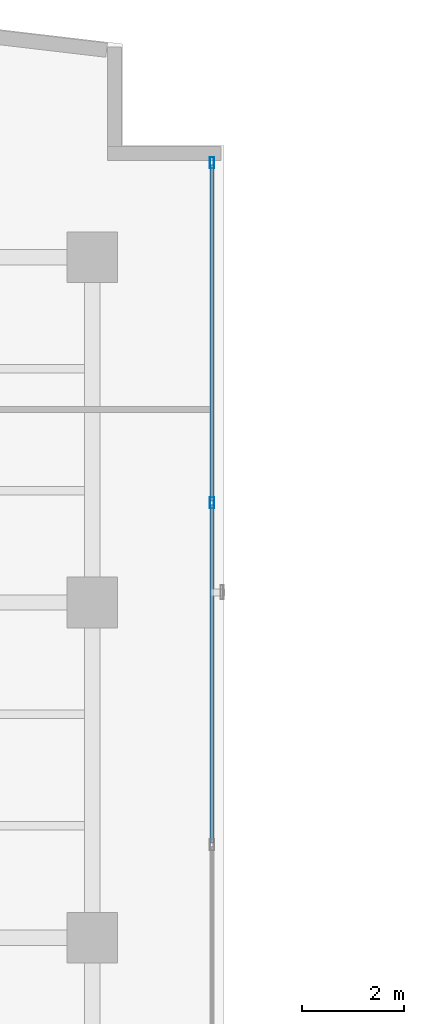
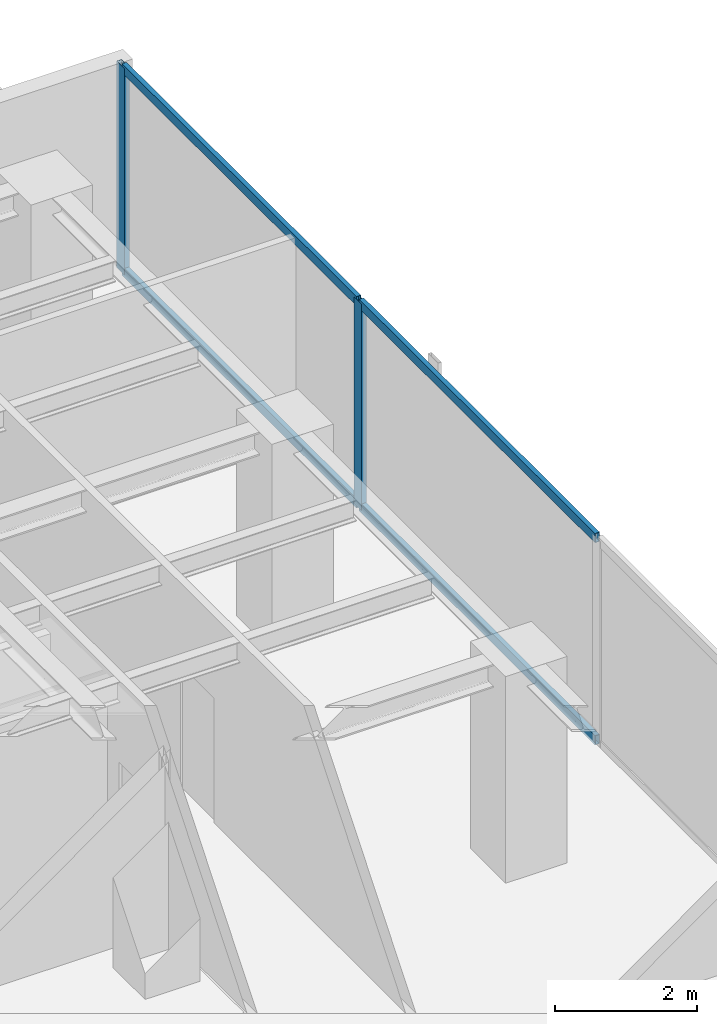
# One storey, part 15 of 25: 6 members, 1 element without a shape of its own.
"""IFC4 building model written with IfcOpenShell, lengths in metres."""

from ifc_helpers import new_model, si_unit, direction, frame, origin, origin_with_axes, origin_2d, place, context, subcontext, project, spatial, hollow_rectangle, extrude, source, transform, mapped, material, layer, layer_set, material_profile, profile_set, type_object, element, aggregate, save


model = new_model("IFC4")

# Units and contexts
model_context = context("Model", 3, precision=1e-05, world=origin(), true_north=direction((0.0, 1.0)))
body_context = subcontext(model_context, "Body", "Model", "MODEL_VIEW")
ifc_project = project(units=[si_unit("LENGTHUNIT", "METRE"), si_unit("AREAUNIT", "SQUARE_METRE"), si_unit("VOLUMEUNIT", "CUBIC_METRE"), si_unit("PLANEANGLEUNIT", "RADIAN"), si_unit("MASSUNIT", "GRAM", prefix="KILO")], contexts=[model_context])

# Site, building, storey
site_placement = place(None, origin())
site = spatial("IfcSite", under=ifc_project, at=site_placement, CompositionType="ELEMENT")
building_placement = place(site_placement, origin())
building = spatial("IfcBuilding", under=site, at=building_placement, Name="Kolvaren Waterfront Exchange", CompositionType="ELEMENT")
storey_placement = place(building_placement, frame((0.0, 0.0, 223.5)))
storey = spatial("IfcBuildingStorey", under=building, at=storey_placement, Name="L57", CompositionType="ELEMENT", Elevation=223.5)

# Curtain wall, members
ifc_material_1 = material(Name="Anodised bronze aluminium 6063-T6", Category="aluminium")
ifc_layer = layer(ifc_material_1, 0.219970703125, Name="Anodised bronze aluminium 6063-T6")
ifc_layer_set = layer_set([ifc_layer], Name="Anodised bronze aluminium 6063-T6")
curtain_wall_type = type_object("IfcCurtainWallType", Name="ARC-CW-SYS4", PredefinedType="USERDEFINED", material=ifc_layer_set)
curtain_wall_placement = place(storey_placement, origin())
curtain_wall = element("IfcCurtainWall", 1, at=curtain_wall_placement, inside=storey, type_object=curtain_wall_type, Name="L57 stick curtain wall CW4 (CW-L57-NE)", ObjectType="STICK CURTAIN WALL", PredefinedType="USERDEFINED")
ifc_material_2 = material(Name="Anodised aluminium 6063-T6", Category="aluminium")
ifc_material_profile_1 = material_profile(ifc_material_2, hollow_rectangle(XDim=0.080078125, YDim=0.219970703125, WallThickness=0.0048828125, at=origin_2d()), Name="ALU-MUL-220x80x5")
ifc_profile_set_1 = profile_set([ifc_material_profile_1], Name="Anodised aluminium 6063-T6")
member_type_1 = type_object("IfcMemberType", Name="ARC-CWM-220", PredefinedType="MULLION", material=ifc_profile_set_1)
shared_shape_1 = source(origin_with_axes(), body_context, "Body", "SweptSolid", [
    extrude(hollow_rectangle(XDim=0.080078125, YDim=0.219970703125, WallThickness=0.0048828125, at=origin_2d()), origin(), (0.0, 0.0, 1.0), 3.56005859375),
])
member_1_placement = place(storey_placement, frame((21.159912109375, 39.763427734375, 0.0), z_axis=(0.0, 0.0, 1.0), x_axis=(-1.0, 0.0, 0.0)))
member_1 = element("IfcMember", 2, at=member_1_placement, type_object=member_type_1, Name="CW4 mullion 3", PredefinedType="MULLION", context=body_context, shape_type="MappedRepresentation", body=[
    mapped(shared_shape_1, transform((0.0, 0.0, 0.0), x_axis=(1.0, 0.0, 0.0), y_axis=(0.0, 1.0, 0.0), z_axis=(0.0, 0.0, 1.0), scale=1.0)),
])
member_2_placement = place(storey_placement, frame((21.159912109375, 46.4599609375, 0.0), z_axis=(0.0, 0.0, 1.0), x_axis=(-1.0, 0.0, 0.0)))
member_2 = element("IfcMember", 3, at=member_2_placement, type_object=member_type_1, Name="CW4 mullion 4", PredefinedType="MULLION", context=body_context, shape_type="MappedRepresentation", body=[
    mapped(shared_shape_1, transform((0.0, 0.0, 0.0), x_axis=(1.0, 0.0, 0.0), y_axis=(0.0, 1.0, 0.0), z_axis=(0.0, 0.0, 1.0), scale=1.0)),
])
ifc_material_profile_2 = material_profile(ifc_material_2, hollow_rectangle(XDim=0.074951171875, YDim=0.159912109375, WallThickness=0.00439453125, at=origin_2d()), Name="ALU-TRN-160x75x4.5")
ifc_profile_set_2 = profile_set([ifc_material_profile_2], Name="Anodised aluminium 6063-T6")
member_type_2 = type_object("IfcMemberType", Name="ARC-CWT-160", PredefinedType="USERDEFINED", material=ifc_profile_set_2)
shared_shape_2 = source(origin_with_axes(), body_context, "Body", "SweptSolid", [
    extrude(hollow_rectangle(XDim=0.074951171875, YDim=0.159912109375, WallThickness=0.00439453125, at=origin_2d()), origin(), (0.0, 0.0, 1.0), 6.65673828125),
])
member_3_placement = place(storey_placement, frame((21.159912109375, 33.066650390625, 0.03759765625), z_axis=(0.0, 1.0, 0.0), x_axis=(-1.0, 0.0, 0.0)))
member_3 = element("IfcMember", 4, at=member_3_placement, type_object=member_type_2, Name="CW4 transom 2.1", ObjectType="TRANSOM", PredefinedType="USERDEFINED", context=body_context, shape_type="MappedRepresentation", body=[
    mapped(shared_shape_2, transform((0.0, 0.0, 0.0), x_axis=(1.0, 0.0, 0.0), y_axis=(0.0, 1.0, 0.0), z_axis=(0.0, 0.0, 1.0), scale=1.0)),
])
member_4_placement = place(storey_placement, frame((21.159912109375, 33.066650390625, 3.5224609375), z_axis=(0.0, 1.0, 0.0), x_axis=(-1.0, 0.0, 0.0)))
member_4 = element("IfcMember", 5, at=member_4_placement, type_object=member_type_2, Name="CW4 transom 2.2", ObjectType="TRANSOM", PredefinedType="USERDEFINED", context=body_context, shape_type="MappedRepresentation", body=[
    mapped(shared_shape_2, transform((0.0, 0.0, 0.0), x_axis=(1.0, 0.0, 0.0), y_axis=(0.0, 1.0, 0.0), z_axis=(0.0, 0.0, 1.0), scale=1.0)),
])
shared_shape_3 = source(origin_with_axes(), body_context, "Body", "SweptSolid", [
    extrude(hollow_rectangle(XDim=0.074951171875, YDim=0.159912109375, WallThickness=0.00439453125, at=origin_2d()), origin(), (0.0, 0.0, 1.0), 6.61669921875),
])
member_5_placement = place(storey_placement, frame((21.159912109375, 39.80322265625, 0.03759765625), z_axis=(0.0, 1.0, 0.0), x_axis=(-1.0, 0.0, 0.0)))
member_5 = element("IfcMember", 6, at=member_5_placement, type_object=member_type_2, Name="CW4 transom 3.1", ObjectType="TRANSOM", PredefinedType="USERDEFINED", context=body_context, shape_type="MappedRepresentation", body=[
    mapped(shared_shape_3, transform((0.0, 0.0, 0.0), x_axis=(1.0, 0.0, 0.0), y_axis=(0.0, 1.0, 0.0), z_axis=(0.0, 0.0, 1.0), scale=1.0)),
])
member_6_placement = place(storey_placement, frame((21.159912109375, 39.80322265625, 3.5224609375), z_axis=(0.0, 1.0, 0.0), x_axis=(-1.0, 0.0, 0.0)))
member_6 = element("IfcMember", 7, at=member_6_placement, type_object=member_type_2, Name="CW4 transom 3.2", ObjectType="TRANSOM", PredefinedType="USERDEFINED", context=body_context, shape_type="MappedRepresentation", body=[
    mapped(shared_shape_3, transform((0.0, 0.0, 0.0), x_axis=(1.0, 0.0, 0.0), y_axis=(0.0, 1.0, 0.0), z_axis=(0.0, 0.0, 1.0), scale=1.0)),
])
aggregate(curtain_wall, [member_1, member_2, member_3, member_4, member_5, member_6])

save(model, "model.ifc")
